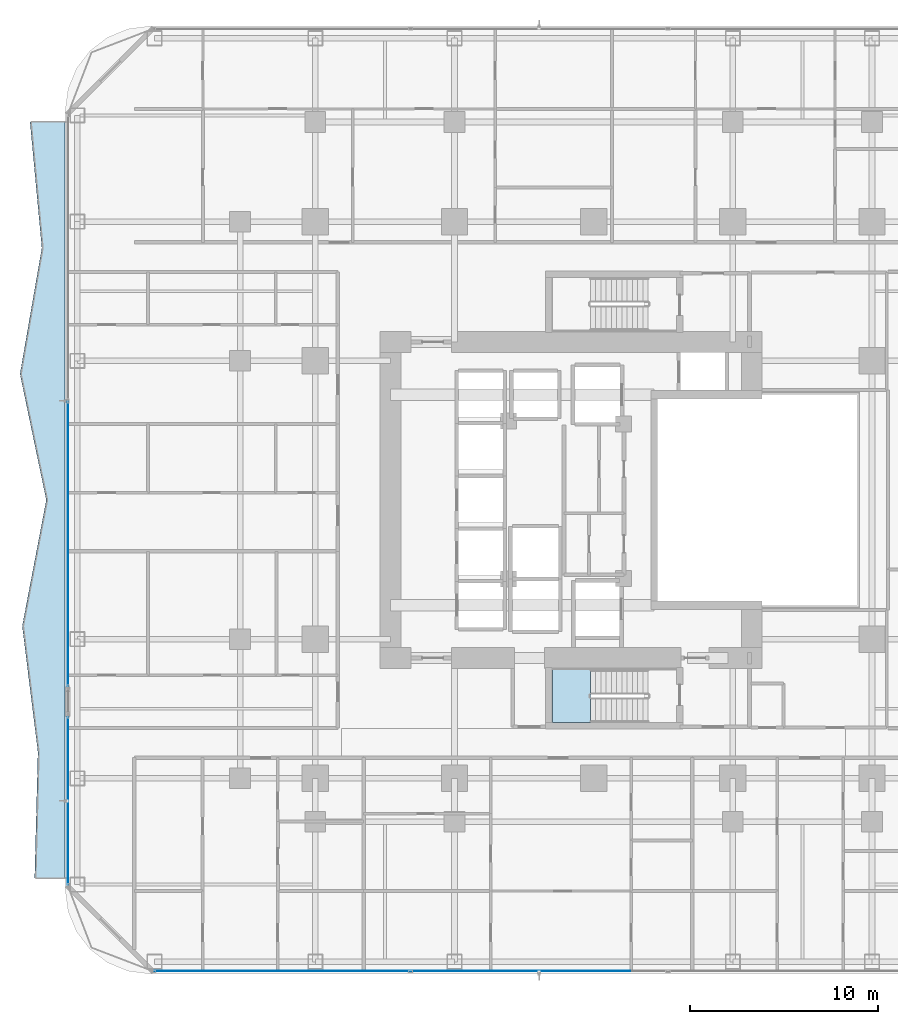
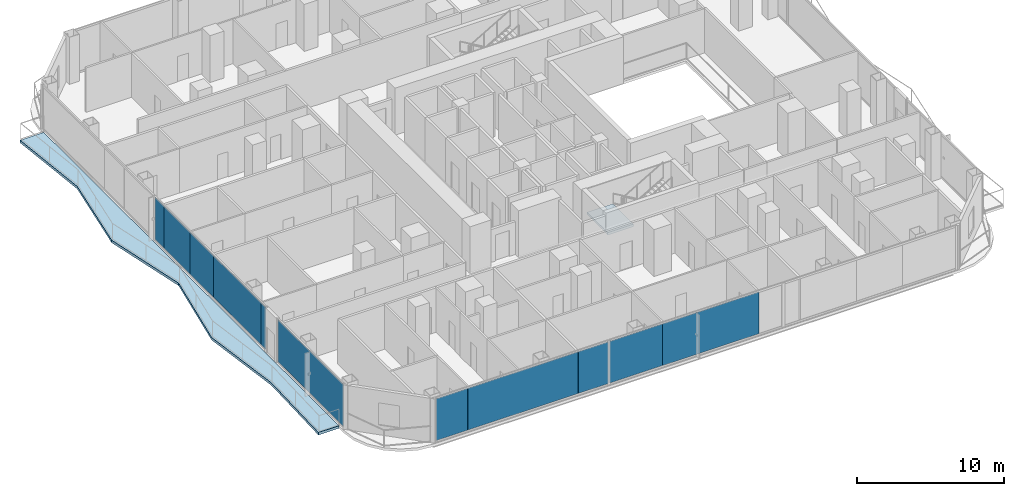
# One storey, part 18 of 30: 11 plates, 2 slabs, 4 elements without a shape of their own.
"""IFC4 building model written with IfcOpenShell, lengths in metres."""

from ifc_helpers import new_model, si_unit, direction, frame, origin, origin_2d, place, context, subcontext, project, spatial, polyline, rectangle, outline, extrude, material, layer, layer_set, type_object, element, aggregate, save


model = new_model("IFC4")

# Units and contexts
model_context = context("Model", 3, precision=1e-05, world=origin(), true_north=direction((0.0, 1.0)))
body_context = subcontext(model_context, "Body", "Model", "MODEL_VIEW")
ifc_project = project(units=[si_unit("LENGTHUNIT", "METRE"), si_unit("AREAUNIT", "SQUARE_METRE"), si_unit("VOLUMEUNIT", "CUBIC_METRE"), si_unit("PLANEANGLEUNIT", "RADIAN"), si_unit("MASSUNIT", "GRAM", prefix="KILO")], contexts=[model_context])

# Site, building, storey
site_placement = place(None, origin())
site = spatial("IfcSite", under=ifc_project, at=site_placement, CompositionType="ELEMENT")
building_placement = place(site_placement, origin())
building = spatial("IfcBuilding", under=site, at=building_placement, Name="Khorvyn Point Tower", CompositionType="ELEMENT")
storey_placement = place(building_placement, frame((0.0, 0.0, 57.89990234375)))
storey = spatial("IfcBuildingStorey", under=building, at=storey_placement, Name="L15", CompositionType="ELEMENT", Elevation=57.89990234375)

# Slab
ifc_material_1 = material(Name="Concrete C40/50", Category="concrete")
ifc_layer_1 = layer(ifc_material_1, 0.2099609375)
ifc_layer_set_1 = layer_set([ifc_layer_1], Name="Concrete C40/50 Rippling Balcony Slab 210")
slab_type_1 = type_object("IfcSlabType", Name="Concrete C40/50 Rippling Balcony Slab 210", PredefinedType="USERDEFINED", material=ifc_layer_set_1)
slab_1_placement = place(storey_placement, frame((0.0, 0.0, -0.2099609375)))
element("IfcSlab", 1, at=slab_1_placement, inside=storey, type_object=slab_type_1, Name="L15 West Sinusoidal Rippling Balcony", ObjectType="BALCONY", PredefinedType="USERDEFINED", context=body_context, shape_type="SweptSolid", body=[
    extrude(outline(polyline([(-28.10009765625, 20.10009765625), (-29.96826171875, 20.10009765625), (-29.339599609375, 13.39990234375), (-30.5009765625, 6.699951171875), (-29.10302734375, 0.0), (-30.380859375, -6.699951171875), (-29.548828125, -13.39990234375), (-29.722900390625, -20.10009765625), (-28.10009765625, -20.10009765625), (-28.10009765625, 20.10009765625)])), origin(), (0.0, 0.0, 1.0), 0.2099609375),
])

# Stair, slab
stair_type = type_object("IfcStairType", Name="Tower Concrete C40/50 Dogleg Exit Stair", PredefinedType="HALF_TURN_STAIR", material=ifc_material_1)
stair_placement = place(storey_placement, origin())
stair = element("IfcStair", 2, at=stair_placement, inside=storey, type_object=stair_type, Name="L15 Tower Smokeproof Exit Stair South", PredefinedType="HALF_TURN_STAIR")
ifc_layer_2 = layer(ifc_material_1, 0.199951171875)
ifc_layer_set_2 = layer_set([ifc_layer_2], Name="Concrete C40/50 Stair Landing Slab 200")
slab_type_2 = type_object("IfcSlabType", Name="Concrete C40/50 Stair Landing Slab 200", PredefinedType="LANDING", material=ifc_layer_set_2)
slab_2_placement = place(storey_placement, frame((0.0, 0.0, 1.75)))
slab_2 = element("IfcSlab", 3, at=slab_2_placement, type_object=slab_type_2, Name="ST-01 landing 1", PredefinedType="LANDING", context=body_context, shape_type="SweptSolid", body=[
    extrude(outline(polyline([(-0.179931640625, -9.02001953125), (-2.199951171875, -9.02001953125), (-2.199951171875, -11.820068359375), (-0.179931640625, -11.820068359375), (-0.179931640625, -9.02001953125)])), origin(), (0.0, 0.0, 1.0), 0.2001953125),
])
aggregate(stair, [slab_2])

# Curtain wall, plates
ifc_material_2 = material(Name="Anodised aluminium 6063-T6 and laminated Low-E glass", Category="aluminium")
ifc_layer_3 = layer(ifc_material_2, 0.18994140625)
ifc_layer_set_3 = layer_set([ifc_layer_3], Name="Stick-Built Finned Residential Curtain Wall CW-SYS-02")
curtain_wall_type = type_object("IfcCurtainWallType", Name="Stick-Built Finned Residential Curtain Wall CW-SYS-02", PredefinedType="NOTDEFINED", material=ifc_layer_set_3)
curtain_wall_1_placement = place(storey_placement, origin())
curtain_wall_1 = element("IfcCurtainWall", 4, at=curtain_wall_1_placement, inside=storey, type_object=curtain_wall_type, Name="Curtain Wall", PredefinedType="NOTDEFINED")
ifc_material_3 = material(Name="Laminated Low-E insulated glass", Category="glass")
ifc_layer_4 = layer(ifc_material_3, 0.028076171875)
ifc_layer_set_4 = layer_set([ifc_layer_4], Name="Tempered Low-E Vision Glazing Panel CW-GL28")
plate_type = type_object("IfcPlateType", Name="Tempered Low-E Vision Glazing Panel CW-GL28", PredefinedType="CURTAIN_PANEL", material=ifc_layer_set_4)
plate_1_placement = place(storey_placement, frame((-7.618408203125, -25.050048828125, 0.10009765625), z_axis=(0.0, 0.0, 1.0), x_axis=(-1.0, 0.0, 0.0)))
plate_1 = element("IfcPlate", 5, at=plate_1_placement, type_object=plate_type, Name="Panel", PredefinedType="CURTAIN_PANEL", context=body_context, shape_type="SweptSolid", body=[
    extrude(rectangle(XDim=4.155029296875, YDim=0.028076171875, at=origin_2d()), origin(), (0.0, 0.0, 1.0), 3.47998046875),
])
plate_2_placement = place(storey_placement, frame((-1.741455078125, -25.050048828125, 0.10009765625), z_axis=(0.0, 0.0, 1.0), x_axis=(-1.0, 0.0, 0.0)))
plate_2 = element("IfcPlate", 6, at=plate_2_placement, type_object=plate_type, Name="Panel", PredefinedType="CURTAIN_PANEL", context=body_context, shape_type="SweptSolid", body=[
    extrude(rectangle(XDim=7.5830078125, YDim=0.028076171875, at=origin_2d()), origin(), (0.0, 0.0, 1.0), 3.47998046875),
])
plate_3_placement = place(storey_placement, frame((-22.10009765625, -25.050048828125, 0.10009765625), z_axis=(0.0, 0.0, 1.0), x_axis=(-1.0, 0.0, 0.0)))
plate_3 = element("IfcPlate", 7, at=plate_3_placement, type_object=plate_type, Name="Panel", PredefinedType="CURTAIN_PANEL", context=body_context, shape_type="SweptSolid", body=[
    extrude(rectangle(XDim=2.491943359375, YDim=0.028076171875, at=origin_2d()), origin(), (0.0, 0.0, 1.0), 3.47998046875),
])
plate_4_placement = place(storey_placement, frame((-16.507568359375, -25.050048828125, 0.10009765625), z_axis=(0.0, 0.0, 1.0), x_axis=(-1.0, 0.0, 0.0)))
plate_4 = element("IfcPlate", 8, at=plate_4_placement, type_object=plate_type, Name="Panel", PredefinedType="CURTAIN_PANEL", context=body_context, shape_type="SweptSolid", body=[
    extrude(rectangle(XDim=8.677001953125, YDim=0.028076171875, at=origin_2d()), origin(), (0.0, 0.0, 1.0), 3.47998046875),
])
plate_5_placement = place(storey_placement, frame((-10.982421875, -25.050048828125, 0.10009765625), z_axis=(0.0, 0.0, 1.0), x_axis=(-1.0, 0.0, 0.0)))
plate_5 = element("IfcPlate", 9, at=plate_5_placement, type_object=plate_type, Name="Panel", PredefinedType="CURTAIN_PANEL", context=body_context, shape_type="SweptSolid", body=[
    extrude(rectangle(XDim=2.35693359375, YDim=0.028076171875, at=origin_2d()), origin(), (0.0, 0.0, 1.0), 3.47998046875),
])
aggregate(curtain_wall_1, [plate_1, plate_2, plate_3, plate_4, plate_5])

# Curtain wall, plate
curtain_wall_2_placement = place(storey_placement, origin())
curtain_wall_2 = element("IfcCurtainWall", 10, at=curtain_wall_2_placement, inside=storey, type_object=curtain_wall_type, Name="Curtain Wall", PredefinedType="NOTDEFINED")
plate_6_placement = place(storey_placement, frame((-27.949951171875, -15.9951171875, 0.10009765625), z_axis=(0.0, 0.0, 1.0), x_axis=(0.0, 1.0, 0.0)))
plate_6 = element("IfcPlate", 11, at=plate_6_placement, type_object=plate_type, Name="Panel", PredefinedType="CURTAIN_PANEL", context=body_context, shape_type="SweptSolid", body=[
    extrude(rectangle(XDim=8.909912109375, YDim=0.028076171875, at=origin_2d()), origin(), (0.0, 0.0, 1.0), 3.47998046875),
])
aggregate(curtain_wall_2, [plate_6])

# Curtain wall, plates
curtain_wall_3_placement = place(storey_placement, origin())
curtain_wall_3 = element("IfcCurtainWall", 12, at=curtain_wall_3_placement, inside=storey, type_object=curtain_wall_type, Name="Curtain Wall", PredefinedType="NOTDEFINED")
plate_7_placement = place(storey_placement, frame((-27.949951171875, -9.580078125, 0.10009765625), z_axis=(0.0, 0.0, 1.0), x_axis=(0.0, 1.0, 0.0)))
plate_7 = element("IfcPlate", 13, at=plate_7_placement, type_object=plate_type, Name="Panel", PredefinedType="CURTAIN_PANEL", context=body_context, shape_type="SweptSolid", body=[
    extrude(rectangle(XDim=0.632080078125, YDim=0.028076171875, at=origin_2d()), origin(), (0.0, 0.0, 1.0), 3.47998046875),
])
plate_8_placement = place(storey_placement, frame((-27.949951171875, -6.025390625, 0.10009765625), z_axis=(0.0, 0.0, 1.0), x_axis=(0.0, 1.0, 0.0)))
plate_8 = element("IfcPlate", 14, at=plate_8_placement, type_object=plate_type, Name="Panel", PredefinedType="CURTAIN_PANEL", context=body_context, shape_type="SweptSolid", body=[
    extrude(rectangle(XDim=6.4609375, YDim=0.028076171875, at=origin_2d()), origin(), (0.0, 0.0, 1.0), 3.47998046875),
])
plate_9_placement = place(storey_placement, frame((-27.949951171875, -1.173583984375, 0.10009765625), z_axis=(0.0, 0.0, 1.0), x_axis=(0.0, 1.0, 0.0)))
plate_9 = element("IfcPlate", 15, at=plate_9_placement, type_object=plate_type, Name="Panel", PredefinedType="CURTAIN_PANEL", context=body_context, shape_type="SweptSolid", body=[
    extrude(rectangle(XDim=3.22705078125, YDim=0.028076171875, at=origin_2d()), origin(), (0.0, 0.0, 1.0), 3.47998046875),
])
plate_10_placement = place(storey_placement, frame((-27.949951171875, 2.2119140625, 0.10009765625), z_axis=(0.0, 0.0, 1.0), x_axis=(0.0, 1.0, 0.0)))
plate_10 = element("IfcPlate", 16, at=plate_10_placement, type_object=plate_type, Name="Panel", PredefinedType="CURTAIN_PANEL", context=body_context, shape_type="SweptSolid", body=[
    extrude(rectangle(XDim=3.528076171875, YDim=0.028076171875, at=origin_2d()), origin(), (0.0, 0.0, 1.0), 3.47998046875),
])
plate_11_placement = place(storey_placement, frame((-27.949951171875, 4.6025390625, 0.10009765625), z_axis=(0.0, 0.0, 1.0), x_axis=(0.0, 1.0, 0.0)))
plate_11 = element("IfcPlate", 17, at=plate_11_placement, type_object=plate_type, Name="Panel", PredefinedType="CURTAIN_PANEL", context=body_context, shape_type="SweptSolid", body=[
    extrude(rectangle(XDim=1.237060546875, YDim=0.028076171875, at=origin_2d()), origin(), (0.0, 0.0, 1.0), 3.47998046875),
])
aggregate(curtain_wall_3, [plate_7, plate_8, plate_9, plate_10, plate_11])

save(model, "model.ifc")
